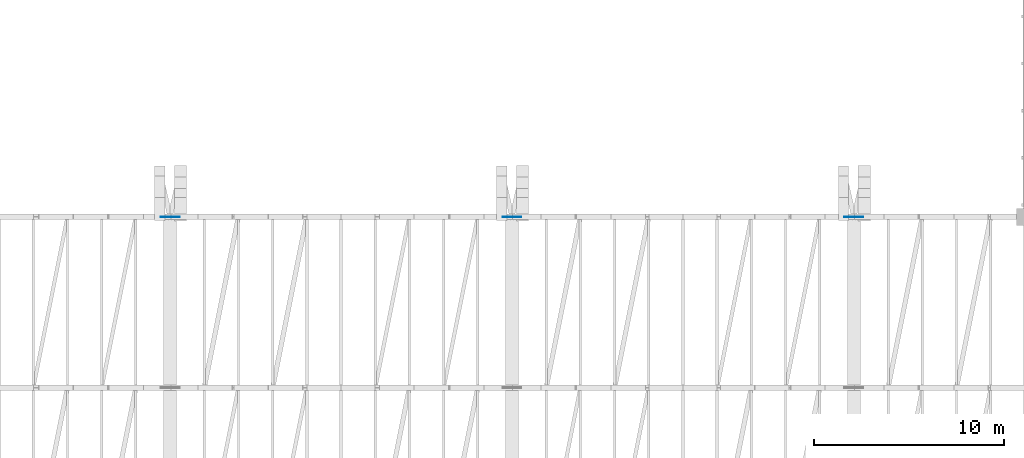
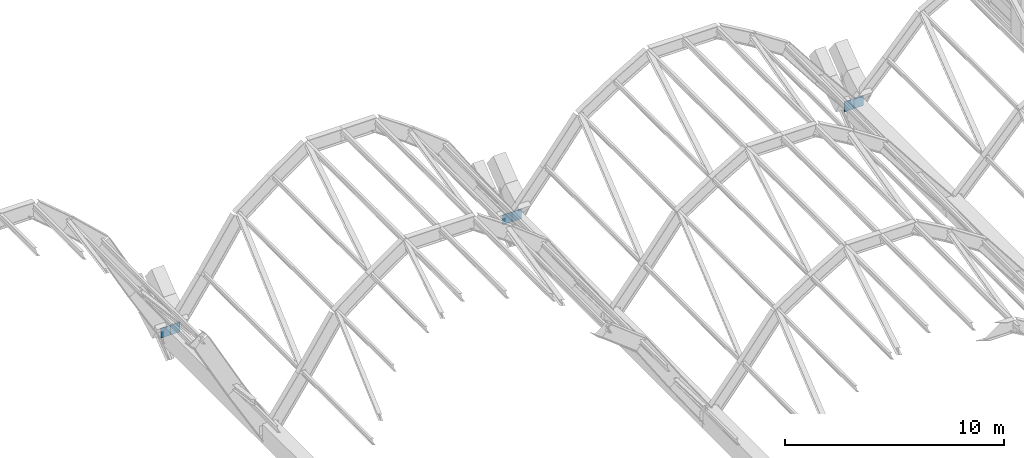
# One storey, part 75 of 86: 6 plates.
"""IFC4 building model written with IfcOpenShell, lengths in metres."""

from ifc_helpers import new_model, si_unit, direction, frame, origin, origin_2d, place, context, subcontext, project, spatial, rectangle, extrude, material, layer, layer_set, type_object, element, save


model = new_model("IFC4")

# Units and contexts
model_context = context("Model", 3, precision=1e-05, world=origin(), true_north=direction((0.0, 1.0)))
body_context = subcontext(model_context, "Body", "Model", "MODEL_VIEW")
ifc_project = project(units=[si_unit("LENGTHUNIT", "METRE"), si_unit("AREAUNIT", "SQUARE_METRE"), si_unit("VOLUMEUNIT", "CUBIC_METRE"), si_unit("PLANEANGLEUNIT", "RADIAN"), si_unit("MASSUNIT", "GRAM", prefix="KILO")], contexts=[model_context])

# Site, building, storey
site_placement = place(None, origin())
site = spatial("IfcSite", under=ifc_project, at=site_placement, CompositionType="ELEMENT")
building_placement = place(site_placement, origin())
building = spatial("IfcBuilding", under=site, at=building_placement, Name="Chuanluo Vaults Station", CompositionType="ELEMENT")
storey_placement = place(building_placement, frame((0.0, 0.0, 14.39990234375)))
storey = spatial("IfcBuildingStorey", under=building, at=storey_placement, Name="L03", CompositionType="ELEMENT", Elevation=14.39990234375)

# Plates
ifc_material = material(Name="Steel Q390C", Category="steel")
ifc_layer = layer(ifc_material, 0.028076171875)
ifc_layer_set = layer_set([ifc_layer], Name="Steel Q390C")
plate_type = type_object("IfcPlateType", Name="PLT-GUS-28", PredefinedType="USERDEFINED", material=ifc_layer_set)
for number, where, z_axis, x_axis, name in (
    (1, (71.75, 103.5, -0.875), (0.0, 0.0, 1.0), (1.0, 0.0, 0.0), "Vault V4 skewback node plate 9-E"),
    (2, (72.25, 103.5, -0.875), (0.0, 0.0, 1.0), (1.0, 0.0, 0.0), "Vault V5 skewback node plate 9-W"),
    (3, (89.75, 103.5, -0.875), (0.0, 0.0, 1.0), (1.0, 0.0, 0.0), "Vault V5 skewback node plate 9-E"),
    (4, (90.25, 103.5, -0.875), (0.0, 0.0, 1.0), (1.0, 0.0, 0.0), "Vault V6 skewback node plate 9-W"),
    (5, (107.75, 103.5, -0.875), (0.0, 0.0, 1.0), (1.0, 0.0, 0.0), "Vault V6 skewback node plate 9-E"),
    (6, (108.25, 103.5, -0.875), (0.0, 0.0, 1.0), (1.0, 0.0, 0.0), "Vault V7 skewback node plate 9-W"),
):
    element("IfcPlate", number, at=place(storey_placement, frame(where, z_axis=z_axis, x_axis=x_axis)), inside=storey, type_object=plate_type, Name=name, ObjectType="GUSSET_PLATE", PredefinedType="USERDEFINED", context=body_context, shape_type="SweptSolid", body=[
        extrude(rectangle(XDim=0.5, YDim=0.028076171875, at=origin_2d()), origin(), (0.0, 0.0, 1.0), 0.550048828125),
    ])

save(model, "model.ifc")
